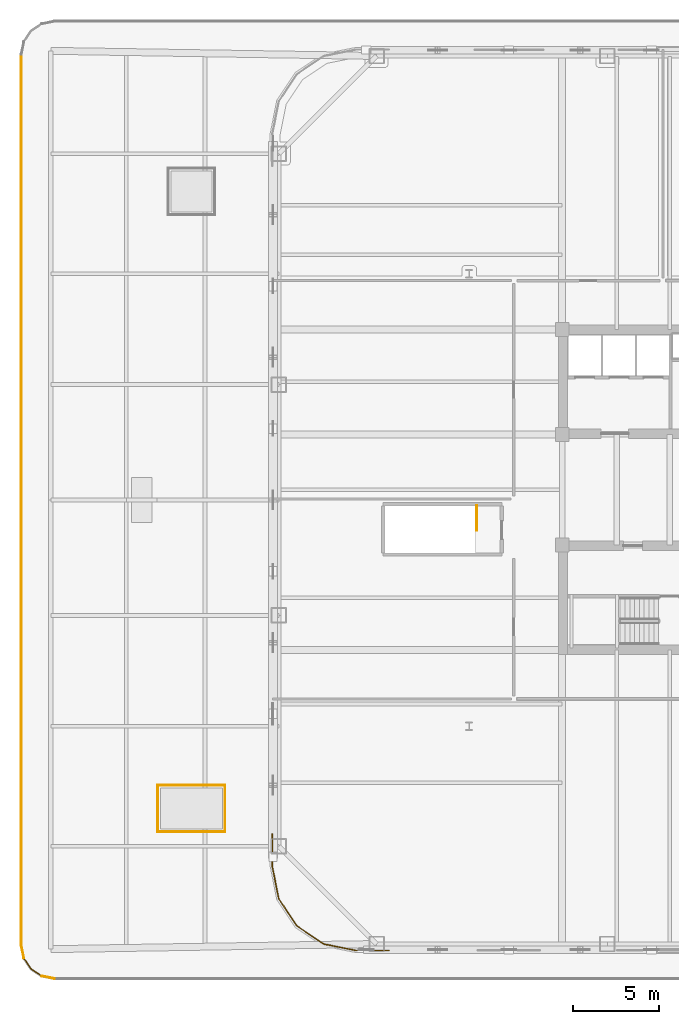
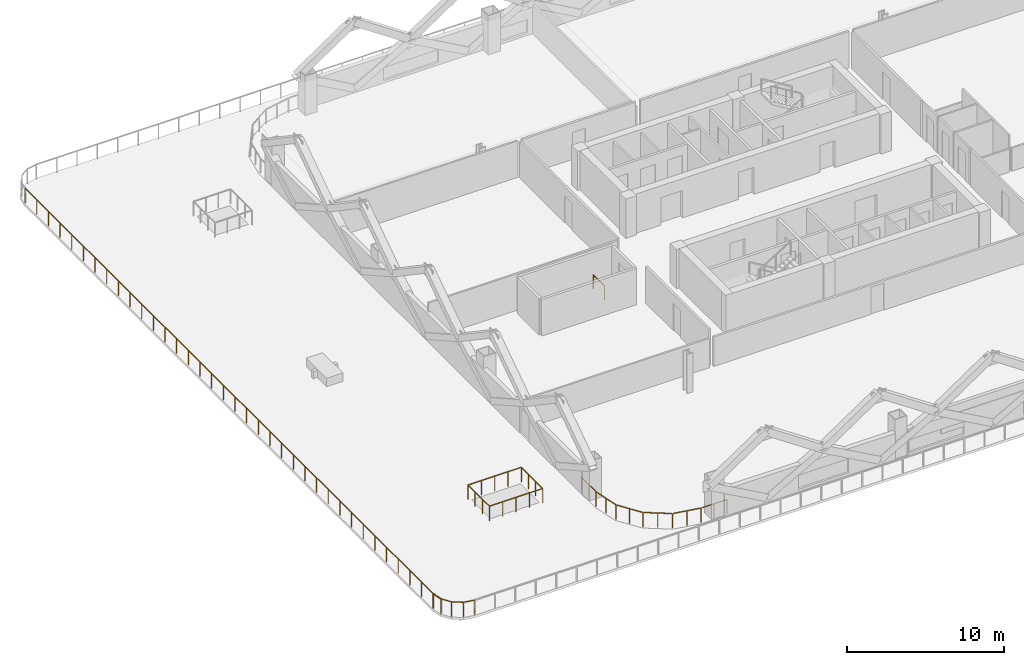
# One storey, part 11 of 17: 11 railings.
"""IFC4 building model written with IfcOpenShell, lengths in metres."""

from ifc_helpers import new_model, si_unit, direction, frame, origin, origin_2d, place, context, subcontext, project, spatial, rectangle, extrude, material, type_object, element, save


model = new_model("IFC4")

# Units and contexts
model_context = context("Model", 3, precision=1e-05, world=origin(), true_north=direction((0.0, 1.0)))
body_context = subcontext(model_context, "Body", "Model", "MODEL_VIEW")
ifc_project = project(units=[si_unit("LENGTHUNIT", "METRE"), si_unit("AREAUNIT", "SQUARE_METRE"), si_unit("VOLUMEUNIT", "CUBIC_METRE"), si_unit("PLANEANGLEUNIT", "RADIAN"), si_unit("MASSUNIT", "GRAM", prefix="KILO")], contexts=[model_context])

# Site, building, storey
site_placement = place(None, origin())
site = spatial("IfcSite", under=ifc_project, at=site_placement, CompositionType="ELEMENT")
building_placement = place(site_placement, origin())
building = spatial("IfcBuilding", under=site, at=building_placement, Name="Qhalaya Broadcast Tower", CompositionType="ELEMENT")
storey_placement = place(building_placement, frame((0.0, 0.0, 26.10009765625)))
storey = spatial("IfcBuildingStorey", under=building, at=storey_placement, Name="L06", CompositionType="ELEMENT", Elevation=26.10009765625)

# Railings
ifc_material = material(Name="Powder-Coated Galvanised Steel", Category="steel")
railing_type_1 = type_object("IfcRailingType", Name="Stair Well & Landing Guardrail 1100", PredefinedType="GUARDRAIL", material=ifc_material)
railing_1_placement = place(storey_placement, frame((-14.35009765625, -0.340087890625, 0.0)))
element("IfcRailing", 1, at=railing_1_placement, inside=storey, type_object=railing_type_1, Name="L06 ST-P1 Top Well Guard 1", PredefinedType="GUARDRAIL", context=body_context, shape_type="SweptSolid", body=[
    extrude(rectangle(XDim=0.048095703125, YDim=0.048095703125, at=origin_2d()), frame((0.0, 0.0, 1.076171875), z_axis=(0.0, -1.0, 0.0), x_axis=(1.0, 0.0, 0.0)), (0.0, 0.0, 1.0), 1.43994140625),
    extrude(rectangle(XDim=0.0419921875, YDim=0.0419921875, at=origin_2d()), origin(), (0.0, 0.0, 1.0), 1.050048828125),
    extrude(rectangle(XDim=0.0419921875, YDim=0.0419921875, at=origin_2d()), frame((0.0, -1.43994140625, 0.0)), (0.0, 0.0, 1.0), 1.050048828125),
])
railing_type_2 = type_object("IfcRailingType", Name="Terrace, Sky-Pool & Lookout Glass Balustrade 1150", PredefinedType="BALUSTRADE", material=ifc_material)
railing_2_placement = place(storey_placement, frame((-38.9921875, -27.919921875, 0.0)))
element("IfcRailing", 2, at=railing_2_placement, inside=storey, type_object=railing_type_2, Name="L06 Perimeter Safety Balustrade BAL-TER1-02", PredefinedType="BALUSTRADE", context=body_context, shape_type="SweptSolid", body=[
    extrude(rectangle(XDim=0.048095703125, YDim=0.048095703125, at=origin_2d()), frame((0.0, 0.0, 1.1259765625), z_axis=(-0.980815817217, 0.194936740243, 0.0), x_axis=(-0.194936740243, -0.980815817217, 0.0)), (0.0, 0.0, 1.0), 0.75634765625),
    extrude(rectangle(XDim=0.0419921875, YDim=0.0419921875, at=origin_2d()), origin(), (0.0, 0.0, 1.0), 1.099853515625),
    extrude(rectangle(XDim=0.0419921875, YDim=0.0419921875, at=origin_2d()), frame((-0.741943359375, 0.1474609375, 0.0)), (0.0, 0.0, 1.0), 1.099853515625),
])
railing_3_placement = place(storey_placement, frame((-39.734130859375, -27.7724609375, 0.0)))
element("IfcRailing", 3, at=railing_3_placement, inside=storey, type_object=railing_type_2, Name="L06 Perimeter Safety Balustrade BAL-TER1-03", PredefinedType="BALUSTRADE", context=body_context, shape_type="SweptSolid", body=[
    extrude(rectangle(XDim=0.048095703125, YDim=0.048095703125, at=origin_2d()), frame((0.0, 0.0, 1.1259765625), z_axis=(-0.831347157979, 0.555753455158, 0.0), x_axis=(-0.555753455158, -0.831347157979, 0.0)), (0.0, 0.0, 1.0), 0.74853515625),
    extrude(rectangle(XDim=0.0419921875, YDim=0.0419921875, at=origin_2d()), origin(), (0.0, 0.0, 1.0), 1.099853515625),
    extrude(rectangle(XDim=0.0419921875, YDim=0.0419921875, at=origin_2d()), frame((-0.622314453125, 0.416015625, 0.0)), (0.0, 0.0, 1.0), 1.099853515625),
])
railing_4_placement = place(storey_placement, frame((-40.3564453125, -27.3564453125, 0.0)))
element("IfcRailing", 4, at=railing_4_placement, inside=storey, type_object=railing_type_2, Name="L06 Perimeter Safety Balustrade BAL-TER1-04", PredefinedType="BALUSTRADE", context=body_context, shape_type="SweptSolid", body=[
    extrude(rectangle(XDim=0.048095703125, YDim=0.048095703125, at=origin_2d()), frame((0.0, 0.0, 1.1259765625), z_axis=(-0.555753455158, 0.831347157979, 0.0), x_axis=(-0.831347157979, -0.555753455158, 0.0)), (0.0, 0.0, 1.0), 0.74853515625),
    extrude(rectangle(XDim=0.0419921875, YDim=0.0419921875, at=origin_2d()), origin(), (0.0, 0.0, 1.0), 1.099853515625),
    extrude(rectangle(XDim=0.0419921875, YDim=0.0419921875, at=origin_2d()), frame((-0.416015625, 0.622314453125, 0.0)), (0.0, 0.0, 1.0), 1.099853515625),
])
railing_5_placement = place(storey_placement, frame((-40.7724609375, -26.734130859375, 0.0)))
element("IfcRailing", 5, at=railing_5_placement, inside=storey, type_object=railing_type_2, Name="L06 Perimeter Safety Balustrade BAL-TER1-05", PredefinedType="BALUSTRADE", context=body_context, shape_type="SweptSolid", body=[
    extrude(rectangle(XDim=0.048095703125, YDim=0.048095703125, at=origin_2d()), frame((0.0, 0.0, 1.1259765625), z_axis=(-0.194936740243, 0.980815817217, 0.0), x_axis=(-0.980815817217, -0.194936740243, 0.0)), (0.0, 0.0, 1.0), 0.75634765625),
    extrude(rectangle(XDim=0.0419921875, YDim=0.0419921875, at=origin_2d()), origin(), (0.0, 0.0, 1.0), 1.099853515625),
    extrude(rectangle(XDim=0.0419921875, YDim=0.0419921875, at=origin_2d()), frame((-0.1474609375, 0.741943359375, 0.0)), (0.0, 0.0, 1.0), 1.099853515625),
])
railing_6_placement = place(storey_placement, frame((-40.919921875, -25.9921875, 0.0)))
element("IfcRailing", 6, at=railing_6_placement, inside=storey, type_object=railing_type_2, Name="L06 Perimeter Safety Balustrade BAL-TER1-06", PredefinedType="BALUSTRADE", context=body_context, shape_type="SweptSolid", body=[
    extrude(rectangle(XDim=0.048095703125, YDim=0.048095703125, at=origin_2d()), frame((0.0, 0.0, 1.1259765625), z_axis=(0.0, 1.0, 0.0), x_axis=(-1.0, 0.0, 0.0)), (0.0, 0.0, 1.0), 51.984375),
    extrude(rectangle(XDim=0.0419921875, YDim=0.0419921875, at=origin_2d()), origin(), (0.0, 0.0, 1.0), 1.099853515625),
    extrude(rectangle(XDim=0.0419921875, YDim=0.0419921875, at=origin_2d()), frame((0.0, 1.4853515625, 0.0)), (0.0, 0.0, 1.0), 1.099853515625),
    extrude(rectangle(XDim=0.0419921875, YDim=0.0419921875, at=origin_2d()), frame((0.0, 2.970458984375, 0.0)), (0.0, 0.0, 1.0), 1.099853515625),
    extrude(rectangle(XDim=0.0419921875, YDim=0.0419921875, at=origin_2d()), frame((0.0, 4.455810546875, 0.0)), (0.0, 0.0, 1.0), 1.099853515625),
    extrude(rectangle(XDim=0.0419921875, YDim=0.0419921875, at=origin_2d()), frame((0.0, 5.941162109375, 0.0)), (0.0, 0.0, 1.0), 1.099853515625),
    extrude(rectangle(XDim=0.0419921875, YDim=0.0419921875, at=origin_2d()), frame((0.0, 7.42626953125, 0.0)), (0.0, 0.0, 1.0), 1.099853515625),
    extrude(rectangle(XDim=0.0419921875, YDim=0.0419921875, at=origin_2d()), frame((0.0, 8.91162109375, 0.0)), (0.0, 0.0, 1.0), 1.099853515625),
    extrude(rectangle(XDim=0.0419921875, YDim=0.0419921875, at=origin_2d()), frame((0.0, 10.39697265625, 0.0)), (0.0, 0.0, 1.0), 1.099853515625),
    extrude(rectangle(XDim=0.0419921875, YDim=0.0419921875, at=origin_2d()), frame((0.0, 11.882080078125, 0.0)), (0.0, 0.0, 1.0), 1.099853515625),
    extrude(rectangle(XDim=0.0419921875, YDim=0.0419921875, at=origin_2d()), frame((0.0, 13.367431640625, 0.0)), (0.0, 0.0, 1.0), 1.099853515625),
    extrude(rectangle(XDim=0.0419921875, YDim=0.0419921875, at=origin_2d()), frame((0.0, 14.852783203125, 0.0)), (0.0, 0.0, 1.0), 1.099853515625),
    extrude(rectangle(XDim=0.0419921875, YDim=0.0419921875, at=origin_2d()), frame((0.0, 16.337890625, 0.0)), (0.0, 0.0, 1.0), 1.099853515625),
    extrude(rectangle(XDim=0.0419921875, YDim=0.0419921875, at=origin_2d()), frame((0.0, 17.8232421875, 0.0)), (0.0, 0.0, 1.0), 1.099853515625),
    extrude(rectangle(XDim=0.0419921875, YDim=0.0419921875, at=origin_2d()), frame((0.0, 19.30859375, 0.0)), (0.0, 0.0, 1.0), 1.099853515625),
    extrude(rectangle(XDim=0.0419921875, YDim=0.0419921875, at=origin_2d()), frame((0.0, 20.793701171875, 0.0)), (0.0, 0.0, 1.0), 1.099853515625),
    extrude(rectangle(XDim=0.0419921875, YDim=0.0419921875, at=origin_2d()), frame((0.0, 22.279052734375, 0.0)), (0.0, 0.0, 1.0), 1.099853515625),
    extrude(rectangle(XDim=0.0419921875, YDim=0.0419921875, at=origin_2d()), frame((0.0, 23.764404296875, 0.0)), (0.0, 0.0, 1.0), 1.099853515625),
    extrude(rectangle(XDim=0.0419921875, YDim=0.0419921875, at=origin_2d()), frame((0.0, 25.24951171875, 0.0)), (0.0, 0.0, 1.0), 1.099853515625),
    extrude(rectangle(XDim=0.0419921875, YDim=0.0419921875, at=origin_2d()), frame((0.0, 26.73486328125, 0.0)), (0.0, 0.0, 1.0), 1.099853515625),
    extrude(rectangle(XDim=0.0419921875, YDim=0.0419921875, at=origin_2d()), frame((0.0, 28.219970703125, 0.0)), (0.0, 0.0, 1.0), 1.099853515625),
    extrude(rectangle(XDim=0.0419921875, YDim=0.0419921875, at=origin_2d()), frame((0.0, 29.705322265625, 0.0)), (0.0, 0.0, 1.0), 1.099853515625),
    extrude(rectangle(XDim=0.0419921875, YDim=0.0419921875, at=origin_2d()), frame((0.0, 31.190673828125, 0.0)), (0.0, 0.0, 1.0), 1.099853515625),
    extrude(rectangle(XDim=0.0419921875, YDim=0.0419921875, at=origin_2d()), frame((0.0, 32.67578125, 0.0)), (0.0, 0.0, 1.0), 1.099853515625),
    extrude(rectangle(XDim=0.0419921875, YDim=0.0419921875, at=origin_2d()), frame((0.0, 34.1611328125, 0.0)), (0.0, 0.0, 1.0), 1.099853515625),
    extrude(rectangle(XDim=0.0419921875, YDim=0.0419921875, at=origin_2d()), frame((0.0, 35.646484375, 0.0)), (0.0, 0.0, 1.0), 1.099853515625),
    extrude(rectangle(XDim=0.0419921875, YDim=0.0419921875, at=origin_2d()), frame((0.0, 37.131591796875, 0.0)), (0.0, 0.0, 1.0), 1.099853515625),
    extrude(rectangle(XDim=0.0419921875, YDim=0.0419921875, at=origin_2d()), frame((0.0, 38.616943359375, 0.0)), (0.0, 0.0, 1.0), 1.099853515625),
    extrude(rectangle(XDim=0.0419921875, YDim=0.0419921875, at=origin_2d()), frame((0.0, 40.102294921875, 0.0)), (0.0, 0.0, 1.0), 1.099853515625),
    extrude(rectangle(XDim=0.0419921875, YDim=0.0419921875, at=origin_2d()), frame((0.0, 41.58740234375, 0.0)), (0.0, 0.0, 1.0), 1.099853515625),
    extrude(rectangle(XDim=0.0419921875, YDim=0.0419921875, at=origin_2d()), frame((0.0, 43.07275390625, 0.0)), (0.0, 0.0, 1.0), 1.099853515625),
    extrude(rectangle(XDim=0.0419921875, YDim=0.0419921875, at=origin_2d()), frame((0.0, 44.55810546875, 0.0)), (0.0, 0.0, 1.0), 1.099853515625),
    extrude(rectangle(XDim=0.0419921875, YDim=0.0419921875, at=origin_2d()), frame((0.0, 46.043212890625, 0.0)), (0.0, 0.0, 1.0), 1.099853515625),
    extrude(rectangle(XDim=0.0419921875, YDim=0.0419921875, at=origin_2d()), frame((0.0, 47.528564453125, 0.0)), (0.0, 0.0, 1.0), 1.099853515625),
    extrude(rectangle(XDim=0.0419921875, YDim=0.0419921875, at=origin_2d()), frame((0.0, 49.013916015625, 0.0)), (0.0, 0.0, 1.0), 1.099853515625),
    extrude(rectangle(XDim=0.0419921875, YDim=0.0419921875, at=origin_2d()), frame((0.0, 50.4990234375, 0.0)), (0.0, 0.0, 1.0), 1.099853515625),
    extrude(rectangle(XDim=0.0419921875, YDim=0.0419921875, at=origin_2d()), frame((0.0, 51.984375, 0.0)), (0.0, 0.0, 1.0), 1.099853515625),
])
railing_7_placement = place(storey_placement, frame((-32.9599609375, -19.360107421875, 0.0)))
element("IfcRailing", 7, at=railing_7_placement, inside=storey, type_object=railing_type_2, Name="L06 Skylight Safety Guard SK1-1-1", PredefinedType="BALUSTRADE", context=body_context, shape_type="SweptSolid", body=[
    extrude(rectangle(XDim=0.048095703125, YDim=0.048095703125, at=origin_2d()), frame((0.0, 0.0, 1.1259765625), z_axis=(1.0, 0.0, 0.0), x_axis=(0.0, 1.0, 0.0)), (0.0, 0.0, 1.0), 3.919921875),
    extrude(rectangle(XDim=0.0419921875, YDim=0.0419921875, at=origin_2d()), origin(), (0.0, 0.0, 1.0), 1.099853515625),
    extrude(rectangle(XDim=0.0419921875, YDim=0.0419921875, at=origin_2d()), frame((0.97998046875, 0.0, 0.0)), (0.0, 0.0, 1.0), 1.099853515625),
    extrude(rectangle(XDim=0.0419921875, YDim=0.0419921875, at=origin_2d()), frame((1.9599609375, 0.0, 0.0)), (0.0, 0.0, 1.0), 1.099853515625),
    extrude(rectangle(XDim=0.0419921875, YDim=0.0419921875, at=origin_2d()), frame((2.93994140625, 0.0, 0.0)), (0.0, 0.0, 1.0), 1.099853515625),
    extrude(rectangle(XDim=0.0419921875, YDim=0.0419921875, at=origin_2d()), frame((3.919921875, 0.0, 0.0)), (0.0, 0.0, 1.0), 1.099853515625),
])
railing_8_placement = place(storey_placement, frame((-29.0400390625, -19.360107421875, 0.0)))
element("IfcRailing", 8, at=railing_8_placement, inside=storey, type_object=railing_type_2, Name="L06 Skylight Safety Guard SK1-1-2", PredefinedType="BALUSTRADE", context=body_context, shape_type="SweptSolid", body=[
    extrude(rectangle(XDim=0.048095703125, YDim=0.048095703125, at=origin_2d()), frame((0.0, 0.0, 1.1259765625), z_axis=(0.0, 1.0, 0.0), x_axis=(-1.0, 0.0, 0.0)), (0.0, 0.0, 1.0), 2.72021484375),
    extrude(rectangle(XDim=0.0419921875, YDim=0.0419921875, at=origin_2d()), origin(), (0.0, 0.0, 1.0), 1.099853515625),
    extrude(rectangle(XDim=0.0419921875, YDim=0.0419921875, at=origin_2d()), frame((0.0, 0.90673828125, 0.0)), (0.0, 0.0, 1.0), 1.099853515625),
    extrude(rectangle(XDim=0.0419921875, YDim=0.0419921875, at=origin_2d()), frame((0.0, 1.8134765625, 0.0)), (0.0, 0.0, 1.0), 1.099853515625),
    extrude(rectangle(XDim=0.0419921875, YDim=0.0419921875, at=origin_2d()), frame((0.0, 2.72021484375, 0.0)), (0.0, 0.0, 1.0), 1.099853515625),
])
railing_9_placement = place(storey_placement, frame((-29.0400390625, -16.639892578125, 0.0)))
element("IfcRailing", 9, at=railing_9_placement, inside=storey, type_object=railing_type_2, Name="L06 Skylight Safety Guard SK1-1-3", PredefinedType="BALUSTRADE", context=body_context, shape_type="SweptSolid", body=[
    extrude(rectangle(XDim=0.048095703125, YDim=0.048095703125, at=origin_2d()), frame((0.0, 0.0, 1.1259765625), z_axis=(-1.0, 0.0, 0.0), x_axis=(0.0, -1.0, 0.0)), (0.0, 0.0, 1.0), 3.919921875),
    extrude(rectangle(XDim=0.0419921875, YDim=0.0419921875, at=origin_2d()), origin(), (0.0, 0.0, 1.0), 1.099853515625),
    extrude(rectangle(XDim=0.0419921875, YDim=0.0419921875, at=origin_2d()), frame((-0.97998046875, 0.0, 0.0)), (0.0, 0.0, 1.0), 1.099853515625),
    extrude(rectangle(XDim=0.0419921875, YDim=0.0419921875, at=origin_2d()), frame((-1.9599609375, 0.0, 0.0)), (0.0, 0.0, 1.0), 1.099853515625),
    extrude(rectangle(XDim=0.0419921875, YDim=0.0419921875, at=origin_2d()), frame((-2.93994140625, 0.0, 0.0)), (0.0, 0.0, 1.0), 1.099853515625),
    extrude(rectangle(XDim=0.0419921875, YDim=0.0419921875, at=origin_2d()), frame((-3.919921875, 0.0, 0.0)), (0.0, 0.0, 1.0), 1.099853515625),
])
railing_10_placement = place(storey_placement, frame((-32.9599609375, -16.639892578125, 0.0)))
element("IfcRailing", 10, at=railing_10_placement, inside=storey, type_object=railing_type_2, Name="L06 Skylight Safety Guard SK1-1-4", PredefinedType="BALUSTRADE", context=body_context, shape_type="SweptSolid", body=[
    extrude(rectangle(XDim=0.048095703125, YDim=0.048095703125, at=origin_2d()), frame((0.0, 0.0, 1.1259765625), z_axis=(0.0, -1.0, 0.0), x_axis=(1.0, 0.0, 0.0)), (0.0, 0.0, 1.0), 2.72021484375),
    extrude(rectangle(XDim=0.0419921875, YDim=0.0419921875, at=origin_2d()), origin(), (0.0, 0.0, 1.0), 1.099853515625),
    extrude(rectangle(XDim=0.0419921875, YDim=0.0419921875, at=origin_2d()), frame((0.0, -0.90673828125, 0.0)), (0.0, 0.0, 1.0), 1.099853515625),
    extrude(rectangle(XDim=0.0419921875, YDim=0.0419921875, at=origin_2d()), frame((0.0, -1.8134765625, 0.0)), (0.0, 0.0, 1.0), 1.099853515625),
    extrude(rectangle(XDim=0.0419921875, YDim=0.0419921875, at=origin_2d()), frame((0.0, -2.72021484375, 0.0)), (0.0, 0.0, 1.0), 1.099853515625),
])
railing_11_placement = place(storey_placement, frame((-19.48193359375, -26.280029296875, 0.0)))
element("IfcRailing", 11, at=railing_11_placement, inside=storey, type_object=railing_type_2, Name="L06 Rounded Corner Perimeter Guard 02", PredefinedType="BALUSTRADE", context=body_context, shape_type="SweptSolid", body=[
    extrude(rectangle(XDim=0.048095703125, YDim=0.048095703125, at=origin_2d()), frame((0.0, 0.0, 1.1259765625), z_axis=(-1.0, 0.0, 0.0), x_axis=(0.0, -1.0, 0.0)), (0.0, 0.0, 1.0), 1.87744140625),
    extrude(rectangle(XDim=0.048095703125, YDim=0.048095703125, at=origin_2d()), frame((-1.9345703125, 0.005615234375, 1.1259765625), z_axis=(-0.980795810058, 0.195037378397, 0.0), x_axis=(-0.195037378397, -0.980795810058, 0.0)), (0.0, 0.0, 1.0), 1.857421875),
    extrude(rectangle(XDim=0.048095703125, YDim=0.048095703125, at=origin_2d()), frame((-3.80859375, 0.3896484375, 1.1259765625), z_axis=(-0.831477548332, 0.555558355728, 0.0), x_axis=(-0.555558355728, -0.831477548332, 0.0)), (0.0, 0.0, 1.0), 1.845458984375),
    extrude(rectangle(XDim=0.048095703125, YDim=0.048095703125, at=origin_2d()), frame((-5.38330078125, 1.454833984375, 1.1259765625), z_axis=(-0.555558355728, 0.831477548332, 0.0), x_axis=(-0.831477548332, -0.555558355728, 0.0)), (0.0, 0.0, 1.0), 1.845458984375),
    extrude(rectangle(XDim=0.048095703125, YDim=0.048095703125, at=origin_2d()), frame((-6.43017578125, 3.041748046875, 1.1259765625), z_axis=(-0.195037378397, 0.980795810058, 0.0), x_axis=(-0.980795810058, -0.195037378397, 0.0)), (0.0, 0.0, 1.0), 1.857421875),
    extrude(rectangle(XDim=0.048095703125, YDim=0.048095703125, at=origin_2d()), frame((-6.798095703125, 4.920654296875, 1.1259765625), z_axis=(0.0, 1.0, 0.0), x_axis=(-1.0, 0.0, 0.0)), (0.0, 0.0, 1.0), 1.87744140625),
    extrude(rectangle(XDim=0.0419921875, YDim=0.0419921875, at=origin_2d()), origin(), (0.0, 0.0, 1.0), 1.099853515625),
    extrude(rectangle(XDim=0.0419921875, YDim=0.0419921875, at=origin_2d()), frame((-0.953125, 0.0, 0.0)), (0.0, 0.0, 1.0), 1.099853515625),
    extrude(rectangle(XDim=0.0419921875, YDim=0.0419921875, at=origin_2d()), frame((-1.90625, 0.0, 0.0)), (0.0, 0.0, 1.0), 1.099853515625),
    extrude(rectangle(XDim=0.0419921875, YDim=0.0419921875, at=origin_2d()), frame((-2.845458984375, 0.186767578125, 0.0)), (0.0, 0.0, 1.0), 1.099853515625),
    extrude(rectangle(XDim=0.0419921875, YDim=0.0419921875, at=origin_2d()), frame((-3.78466796875, 0.37353515625, 0.0)), (0.0, 0.0, 1.0), 1.099853515625),
    extrude(rectangle(XDim=0.0419921875, YDim=0.0419921875, at=origin_2d()), frame((-4.575927734375, 0.90234375, 0.0)), (0.0, 0.0, 1.0), 1.099853515625),
    extrude(rectangle(XDim=0.0419921875, YDim=0.0419921875, at=origin_2d()), frame((-5.3671875, 1.430908203125, 0.0)), (0.0, 0.0, 1.0), 1.099853515625),
    extrude(rectangle(XDim=0.0419921875, YDim=0.0419921875, at=origin_2d()), frame((-5.89599609375, 2.22216796875, 0.0)), (0.0, 0.0, 1.0), 1.099853515625),
    extrude(rectangle(XDim=0.0419921875, YDim=0.0419921875, at=origin_2d()), frame((-6.424560546875, 3.013427734375, 0.0)), (0.0, 0.0, 1.0), 1.099853515625),
    extrude(rectangle(XDim=0.0419921875, YDim=0.0419921875, at=origin_2d()), frame((-6.611328125, 3.95263671875, 0.0)), (0.0, 0.0, 1.0), 1.099853515625),
    extrude(rectangle(XDim=0.0419921875, YDim=0.0419921875, at=origin_2d()), frame((-6.798095703125, 4.891845703125, 0.0)), (0.0, 0.0, 1.0), 1.099853515625),
    extrude(rectangle(XDim=0.0419921875, YDim=0.0419921875, at=origin_2d()), frame((-6.798095703125, 5.844970703125, 0.0)), (0.0, 0.0, 1.0), 1.099853515625),
    extrude(rectangle(XDim=0.0419921875, YDim=0.0419921875, at=origin_2d()), frame((-6.798095703125, 6.798095703125, 0.0)), (0.0, 0.0, 1.0), 1.099853515625),
])

save(model, "model.ifc")
